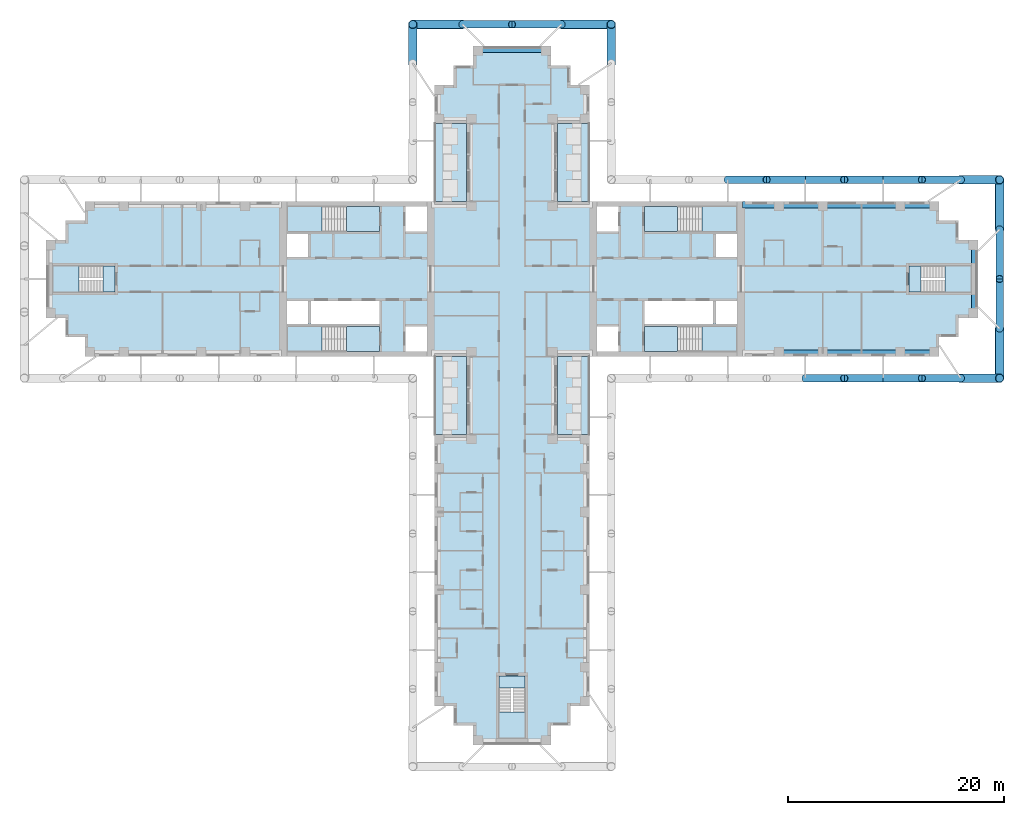
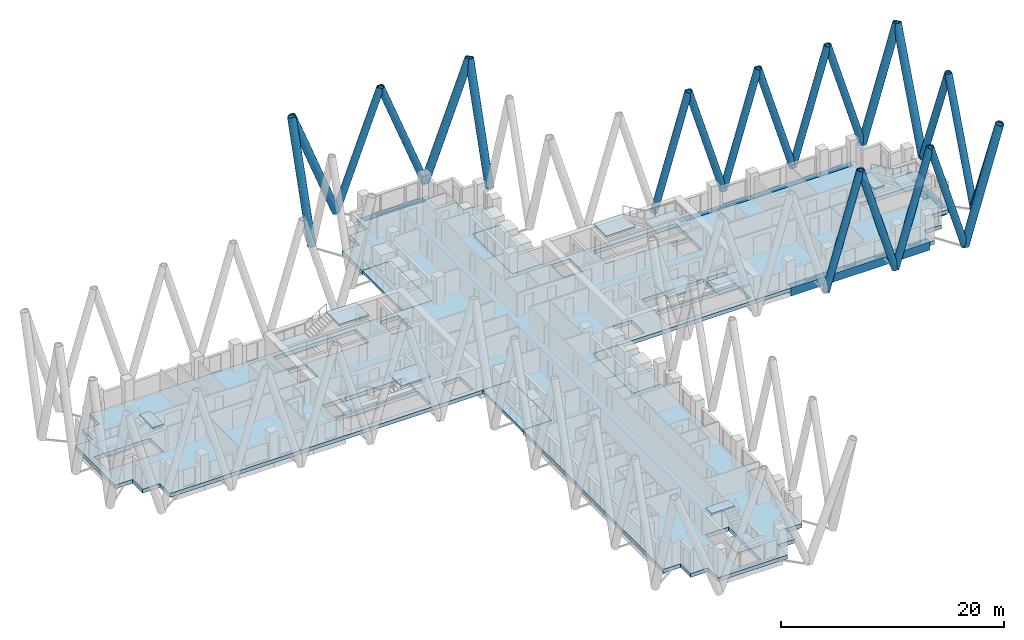
# One storey, part 2 of 14: 22 members, 19 slabs, 9 beams, 7 elements without a shape of their own.
"""IFC4 building model written with IfcOpenShell, lengths in metres."""

from ifc_helpers import new_model, si_unit, direction, frame, origin, origin_2d, place, context, subcontext, project, spatial, polyline, rectangle, hollow_circle, outline, extrude, material, layer, layer_set, material_profile, profile_set, type_object, element, aggregate, save


model = new_model("IFC4")

# Units and contexts
model_context = context("Model", 3, precision=1e-05, world=origin(), true_north=direction((0.0, 1.0)))
body_context = subcontext(model_context, "Body", "Model", "MODEL_VIEW")
ifc_project = project(units=[si_unit("LENGTHUNIT", "METRE"), si_unit("AREAUNIT", "SQUARE_METRE"), si_unit("VOLUMEUNIT", "CUBIC_METRE"), si_unit("PLANEANGLEUNIT", "RADIAN"), si_unit("MASSUNIT", "GRAM", prefix="KILO")], contexts=[model_context])

# Site, building, storey
site_placement = place(None, origin())
site = spatial("IfcSite", under=ifc_project, at=site_placement, CompositionType="ELEMENT")
building_placement = place(site_placement, origin())
building = spatial("IfcBuilding", under=site, at=building_placement, Name="Fustian Cross Tower", CompositionType="ELEMENT")
storey_placement = place(building_placement, frame((0.0, 0.0, 90.89990234375)))
storey = spatial("IfcBuildingStorey", under=building, at=storey_placement, Name="L28", CompositionType="ELEMENT", Elevation=90.89990234375)

# Members
ifc_material_1 = material(Name="Steel S355", Category="steel")
ifc_material_profile_1 = material_profile(ifc_material_1, hollow_circle(Radius=0.355712890625, WallThickness=0.031982421875, at=origin_2d()), Name="CHS 711x32")
ifc_profile_set_1 = profile_set([ifc_material_profile_1], Name="Steel S355")
member_type_1 = type_object("IfcMemberType", Name="DIAGRID DIAGONAL CHS 711x32", PredefinedType="BRACE", material=ifc_profile_set_1)
for number, where, z_axis, x_axis, name in (
    (1, (27.199951171875, -9.199951171875, 0.0), (0.287355036744, 0.0, 0.957824139839), (0.0, 1.0, 0.0), "Diagrid diagonal E-S 06"),
    (2, (34.39990234375, -9.199951171875, 0.0), (-0.287337158709, 0.0, 0.957829503213), (0.0, -1.0, 0.0), "Diagrid diagonal E-S 07"),
    (3, (34.39990234375, -9.199951171875, 0.0), (0.287355036744, 0.0, 0.957824139839), (0.0, 1.0, 0.0), "Diagrid diagonal E-S 08"),
    (4, (41.60009765625, -9.199951171875, 0.0), (-0.287355036744, 0.0, 0.957824139839), (0.0, -1.0, 0.0), "Diagrid diagonal E-S 09"),
):
    element("IfcMember", number, at=place(storey_placement, frame(where, z_axis=z_axis, x_axis=x_axis)), inside=storey, type_object=member_type_1, Name=name, PredefinedType="BRACE", context=body_context, shape_type="SweptSolid", body=[
        extrude(hollow_circle(Radius=0.355712890625, WallThickness=0.031982421875, at=origin_2d()), origin(), (0.0, 0.0, 1.0), 12.5283203125),
    ])
for number, where, z_axis, x_axis, name in (
    (5, (45.199951171875, -4.60009765625, 0.0), (0.0, 0.3579426369, 0.933743577589), (-1.0, 0.0, 0.0), "Diagrid diagonal E-end 02"),
    (6, (45.199951171875, 4.60009765625, 0.0), (0.0, -0.3579426369, 0.933743577589), (1.0, 0.0, 0.0), "Diagrid diagonal E-end 03"),
):
    element("IfcMember", number, at=place(storey_placement, frame(where, z_axis=z_axis, x_axis=x_axis)), inside=storey, type_object=member_type_1, Name=name, PredefinedType="BRACE", context=body_context, shape_type="SweptSolid", body=[
        extrude(hollow_circle(Radius=0.355712890625, WallThickness=0.031982421875, at=origin_2d()), origin(), (0.0, 0.0, 1.0), 12.8515625),
    ])
for number, where, z_axis, x_axis, name in (
    (7, (41.60009765625, 9.199951171875, 0.0), (-0.287355036744, 0.0, 0.957824139839), (0.0, -1.0, 0.0), "Diagrid diagonal E-N 02"),
    (8, (34.39990234375, 9.199951171875, 0.0), (0.287355036744, 0.0, 0.957824139839), (0.0, 1.0, 0.0), "Diagrid diagonal E-N 03"),
    (9, (34.39990234375, 9.199951171875, 0.0), (-0.287337158709, 0.0, 0.957829503213), (0.0, -1.0, 0.0), "Diagrid diagonal E-N 04"),
    (10, (27.199951171875, 9.199951171875, 0.0), (0.287355036744, 0.0, 0.957824139839), (0.0, 1.0, 0.0), "Diagrid diagonal E-N 05"),
    (11, (27.199951171875, 9.199951171875, 0.0), (-0.287337158709, 0.0, 0.957829503213), (0.0, -1.0, 0.0), "Diagrid diagonal E-N 06"),
    (12, (20.0, 9.199951171875, 0.0), (0.287355036744, 0.0, 0.957824139839), (0.0, 1.0, 0.0), "Diagrid diagonal E-N 07"),
):
    element("IfcMember", number, at=place(storey_placement, frame(where, z_axis=z_axis, x_axis=x_axis)), inside=storey, type_object=member_type_1, Name=name, PredefinedType="BRACE", context=body_context, shape_type="SweptSolid", body=[
        extrude(hollow_circle(Radius=0.355712890625, WallThickness=0.031982421875, at=origin_2d()), origin(), (0.0, 0.0, 1.0), 12.5283203125),
    ])
for number, where, z_axis, x_axis, name in (
    (13, (4.60009765625, 23.60009765625, 0.0), (-0.3579426369, 0.0, 0.933743577589), (0.0, -1.0, 0.0), "Diagrid diagonal N-end 02"),
    (14, (-4.60009765625, 23.60009765625, 0.0), (0.3579426369, 0.0, 0.933743577589), (0.0, 1.0, 0.0), "Diagrid diagonal N-end 03"),
):
    element("IfcMember", number, at=place(storey_placement, frame(where, z_axis=z_axis, x_axis=x_axis)), inside=storey, type_object=member_type_1, Name=name, PredefinedType="BRACE", context=body_context, shape_type="SweptSolid", body=[
        extrude(hollow_circle(Radius=0.355712890625, WallThickness=0.031982421875, at=origin_2d()), origin(), (0.0, 0.0, 1.0), 12.8515625),
    ])
ifc_material_2 = material(Name="Steel S355", Category="steel")
ifc_material_profile_2 = material_profile(ifc_material_2, hollow_circle(Radius=0.406494140625, WallThickness=0.0400390625, at=origin_2d()), Name="CHS 813x40")
ifc_profile_set_2 = profile_set([ifc_material_profile_2], Name="Steel S355")
member_type_2 = type_object("IfcMemberType", Name="DIAGRID DIAGONAL CHS 813x40", PredefinedType="BRACE", material=ifc_profile_set_2)
member_1_placement = place(storey_placement, frame((41.60009765625, -9.199951171875, 0.0), z_axis=(0.287337158709, 0.0, 0.957829503213), x_axis=(0.0, 1.0, 0.0)))
element("IfcMember", 15, at=member_1_placement, inside=storey, type_object=member_type_2, Name="Diagrid diagonal E-S 10", PredefinedType="BRACE", context=body_context, shape_type="SweptSolid", body=[
    extrude(hollow_circle(Radius=0.406494140625, WallThickness=0.0400390625, at=origin_2d()), origin(), (0.0, 0.0, 1.0), 12.5283203125),
])
for number, where, z_axis, x_axis, name in (
    (16, (45.199951171875, -4.60009765625, 0.0), (0.0, -0.357926073629, 0.933749926809), (1.0, 0.0, 0.0), "Diagrid diagonal E-end 01"),
    (17, (45.199951171875, 4.60009765625, 0.0), (0.0, 0.357926073629, 0.933749926809), (-1.0, 0.0, 0.0), "Diagrid diagonal E-end 04"),
):
    element("IfcMember", number, at=place(storey_placement, frame(where, z_axis=z_axis, x_axis=x_axis)), inside=storey, type_object=member_type_2, Name=name, PredefinedType="BRACE", context=body_context, shape_type="SweptSolid", body=[
        extrude(hollow_circle(Radius=0.406494140625, WallThickness=0.0400390625, at=origin_2d()), origin(), (0.0, 0.0, 1.0), 12.851318359375),
    ])
for number, where, z_axis, x_axis, name in (
    (18, (41.60009765625, 9.199951171875, 0.0), (0.287337158709, 0.0, 0.957829503213), (0.0, 1.0, 0.0), "Diagrid diagonal E-N 01"),
    (19, (9.199951171875, 20.0, 0.0), (0.0, 0.287355036744, 0.957824139839), (-1.0, 0.0, 0.0), "Diagrid diagonal N-E 04"),
):
    element("IfcMember", number, at=place(storey_placement, frame(where, z_axis=z_axis, x_axis=x_axis)), inside=storey, type_object=member_type_2, Name=name, PredefinedType="BRACE", context=body_context, shape_type="SweptSolid", body=[
        extrude(hollow_circle(Radius=0.406494140625, WallThickness=0.0400390625, at=origin_2d()), origin(), (0.0, 0.0, 1.0), 12.5283203125),
    ])
for number, where, z_axis, x_axis, name in (
    (20, (4.60009765625, 23.60009765625, 0.0), (0.357926073629, 0.0, 0.933749926809), (0.0, 1.0, 0.0), "Diagrid diagonal N-end 01"),
    (21, (-4.60009765625, 23.60009765625, 0.0), (-0.357926073629, 0.0, 0.933749926809), (0.0, -1.0, 0.0), "Diagrid diagonal N-end 04"),
):
    element("IfcMember", number, at=place(storey_placement, frame(where, z_axis=z_axis, x_axis=x_axis)), inside=storey, type_object=member_type_2, Name=name, PredefinedType="BRACE", context=body_context, shape_type="SweptSolid", body=[
        extrude(hollow_circle(Radius=0.406494140625, WallThickness=0.0400390625, at=origin_2d()), origin(), (0.0, 0.0, 1.0), 12.851318359375),
    ])
member_2_placement = place(storey_placement, frame((-9.199951171875, 20.0, 0.0), z_axis=(0.0, 0.287355036744, 0.957824139839), x_axis=(-1.0, 0.0, 0.0)))
element("IfcMember", 22, at=member_2_placement, inside=storey, type_object=member_type_2, Name="Diagrid diagonal N-W 01", PredefinedType="BRACE", context=body_context, shape_type="SweptSolid", body=[
    extrude(hollow_circle(Radius=0.406494140625, WallThickness=0.0400390625, at=origin_2d()), origin(), (0.0, 0.0, 1.0), 12.5283203125),
])

# Beams
ifc_material_3 = material(Name="Concrete C50/60", Category="concrete")
ifc_material_profile_3 = material_profile(ifc_material_3, rectangle(XDim=0.60009765625, YDim=0.89990234375, at=origin_2d()), Name="RC 600x900")
ifc_profile_set_3 = profile_set([ifc_material_profile_3], Name="Concrete C50/60")
beam_type = type_object("IfcBeamType", Name="EDGE BEAM RC 600x900 C50/60", PredefinedType="SPANDREL", material=ifc_profile_set_3)
beam_1_placement = place(storey_placement, frame((24.75, -6.89990234375, -0.449951171875), z_axis=(1.0, 0.0, 0.0), x_axis=(0.0, 1.0, 0.0)))
element("IfcBeam", 23, at=beam_1_placement, inside=storey, type_object=beam_type, Name="EDGE BEAM L28-02", PredefinedType="SPANDREL", context=body_context, shape_type="SweptSolid", body=[
    extrude(rectangle(XDim=0.60009765625, YDim=0.89990234375, at=origin_2d()), origin(), (0.0, 0.0, 1.0), 4.050048828125),
])
beam_2_placement = place(storey_placement, frame((28.800048828125, -6.89990234375, -0.449951171875), z_axis=(1.0, 0.0, 0.0), x_axis=(0.0, 1.0, 0.0)))
element("IfcBeam", 24, at=beam_2_placement, inside=storey, type_object=beam_type, Name="EDGE BEAM L28-03", PredefinedType="SPANDREL", context=body_context, shape_type="SweptSolid", body=[
    extrude(rectangle(XDim=0.60009765625, YDim=0.89990234375, at=origin_2d()), origin(), (0.0, 0.0, 1.0), 7.199951171875),
])
beam_3_placement = place(storey_placement, frame((36.0, -6.89990234375, -0.449951171875), z_axis=(1.0, 0.0, 0.0), x_axis=(0.0, 1.0, 0.0)))
element("IfcBeam", 25, at=beam_3_placement, inside=storey, type_object=beam_type, Name="EDGE BEAM L28-04", PredefinedType="SPANDREL", context=body_context, shape_type="SweptSolid", body=[
    extrude(rectangle(XDim=0.60009765625, YDim=0.89990234375, at=origin_2d()), origin(), (0.0, 0.0, 1.0), 3.14990234375),
])
beam_4_placement = place(storey_placement, frame((42.89990234375, -3.14990234375, -0.449951171875), z_axis=(0.0, 1.0, 0.0), x_axis=(-1.0, 0.0, 0.0)))
element("IfcBeam", 26, at=beam_4_placement, inside=storey, type_object=beam_type, Name="EDGE BEAM L28-05", PredefinedType="SPANDREL", context=body_context, shape_type="SweptSolid", body=[
    extrude(rectangle(XDim=0.60009765625, YDim=0.89990234375, at=origin_2d()), origin(), (0.0, 0.0, 1.0), 6.2998046875),
])
beam_5_placement = place(storey_placement, frame((39.14990234375, 6.89990234375, -0.449951171875), z_axis=(-1.0, 0.0, 0.0), x_axis=(0.0, -1.0, 0.0)))
element("IfcBeam", 27, at=beam_5_placement, inside=storey, type_object=beam_type, Name="EDGE BEAM L28-06", PredefinedType="SPANDREL", context=body_context, shape_type="SweptSolid", body=[
    extrude(rectangle(XDim=0.60009765625, YDim=0.89990234375, at=origin_2d()), origin(), (0.0, 0.0, 1.0), 3.14990234375),
])
beam_6_placement = place(storey_placement, frame((36.0, 6.89990234375, -0.449951171875), z_axis=(-1.0, 0.0, 0.0), x_axis=(0.0, -1.0, 0.0)))
element("IfcBeam", 28, at=beam_6_placement, inside=storey, type_object=beam_type, Name="EDGE BEAM L28-07", PredefinedType="SPANDREL", context=body_context, shape_type="SweptSolid", body=[
    extrude(rectangle(XDim=0.60009765625, YDim=0.89990234375, at=origin_2d()), origin(), (0.0, 0.0, 1.0), 7.199951171875),
])
beam_7_placement = place(storey_placement, frame((28.800048828125, 6.89990234375, -0.449951171875), z_axis=(-1.0, 0.0, 0.0), x_axis=(0.0, -1.0, 0.0)))
element("IfcBeam", 29, at=beam_7_placement, inside=storey, type_object=beam_type, Name="EDGE BEAM L28-08", PredefinedType="SPANDREL", context=body_context, shape_type="SweptSolid", body=[
    extrude(rectangle(XDim=0.60009765625, YDim=0.89990234375, at=origin_2d()), origin(), (0.0, 0.0, 1.0), 4.050048828125),
])
beam_8_placement = place(storey_placement, frame((24.75, 6.89990234375, -0.449951171875), z_axis=(-1.0, 0.0, 0.0), x_axis=(0.0, -1.0, 0.0)))
element("IfcBeam", 30, at=beam_8_placement, inside=storey, type_object=beam_type, Name="EDGE BEAM L28-09", PredefinedType="SPANDREL", context=body_context, shape_type="SweptSolid", body=[
    extrude(rectangle(XDim=0.60009765625, YDim=0.89990234375, at=origin_2d()), origin(), (0.0, 0.0, 1.0), 3.39990234375),
])
beam_9_placement = place(storey_placement, frame((3.14990234375, 21.300048828125, -0.449951171875), z_axis=(-1.0, 0.0, 0.0), x_axis=(0.0, -1.0, 0.0)))
element("IfcBeam", 31, at=beam_9_placement, inside=storey, type_object=beam_type, Name="EDGE BEAM L28-14", PredefinedType="SPANDREL", context=body_context, shape_type="SweptSolid", body=[
    extrude(rectangle(XDim=0.60009765625, YDim=0.89990234375, at=origin_2d()), origin(), (0.0, 0.0, 1.0), 6.2998046875),
])

# Slabs
ifc_material_4 = material(Name="Concrete C40/50", Category="concrete")
ifc_layer_1 = layer(ifc_material_4, 0.300048828125)
ifc_layer_set_1 = layer_set([ifc_layer_1], Name="Concrete C40/50")
slab_type_1 = type_object("IfcSlabType", Name="BS1 BALCONY SLAB 300", PredefinedType="FLOOR", material=ifc_layer_set_1)
slab_1_placement = place(storey_placement, frame((0.0, 0.0, -0.2998046875)))
element("IfcSlab", 32, at=slab_1_placement, inside=storey, type_object=slab_type_1, Name="Balcony slab", PredefinedType="FLOOR", context=body_context, shape_type="SweptSolid", body=[
    extrude(outline(polyline([(4.199951171875, 7.199951171875), (7.199951171875, 7.199951171875), (7.199951171875, 14.39990234375), (4.199951171875, 14.39990234375), (4.199951171875, 7.199951171875)])), origin(), (0.0, 0.0, 1.0), 0.2998046875),
])
slab_2_placement = place(storey_placement, frame((0.0, 0.0, -0.2998046875)))
element("IfcSlab", 33, at=slab_2_placement, inside=storey, type_object=slab_type_1, Name="Balcony slab", PredefinedType="FLOOR", context=body_context, shape_type="SweptSolid", body=[
    extrude(outline(polyline([(-7.199951171875, 7.199951171875), (-4.199951171875, 7.199951171875), (-4.199951171875, 14.39990234375), (-7.199951171875, 14.39990234375), (-7.199951171875, 7.199951171875)])), origin(), (0.0, 0.0, 1.0), 0.2998046875),
])
slab_3_placement = place(storey_placement, frame((0.0, 0.0, -0.2998046875)))
element("IfcSlab", 34, at=slab_3_placement, inside=storey, type_object=slab_type_1, Name="Balcony slab", PredefinedType="FLOOR", context=body_context, shape_type="SweptSolid", body=[
    extrude(outline(polyline([(4.199951171875, -14.39990234375), (7.199951171875, -14.39990234375), (7.199951171875, -7.199951171875), (4.199951171875, -7.199951171875), (4.199951171875, -14.39990234375)])), origin(), (0.0, 0.0, 1.0), 0.2998046875),
])
slab_4_placement = place(storey_placement, frame((0.0, 0.0, -0.2998046875)))
element("IfcSlab", 35, at=slab_4_placement, inside=storey, type_object=slab_type_1, Name="Balcony slab", PredefinedType="FLOOR", context=body_context, shape_type="SweptSolid", body=[
    extrude(outline(polyline([(-7.199951171875, -14.39990234375), (-4.199951171875, -14.39990234375), (-4.199951171875, -7.199951171875), (-7.199951171875, -7.199951171875), (-7.199951171875, -14.39990234375)])), origin(), (0.0, 0.0, 1.0), 0.2998046875),
])
ifc_material_5 = material(Name="Concrete C40/50", Category="concrete")
ifc_layer_2 = layer(ifc_material_5, 0.425048828125)
ifc_layer_set_2 = layer_set([ifc_layer_2], Name="Concrete C40/50")
slab_type_2 = type_object("IfcSlabType", Name="FLAT SLAB 425", PredefinedType="FLOOR", material=ifc_layer_set_2)
slab_5_placement = place(storey_placement, frame((0.0, 0.0, -0.4248046875)))
element("IfcSlab", 36, at=slab_5_placement, inside=storey, type_object=slab_type_2, Name="FLOOR SLAB L28-1", PredefinedType="FLOOR", context=body_context, shape_type="SweptSolid", body=[
    extrude(outline(polyline([(-4.199951171875, -7.199951171875), (-39.60009765625, -7.199951171875), (-39.60009765625, -5.39990234375), (-41.39990234375, -5.39990234375), (-41.39990234375, -3.60009765625), (-43.199951171875, -3.60009765625), (-43.199951171875, 3.60009765625), (-41.39990234375, 3.60009765625), (-41.39990234375, 5.39990234375), (-39.60009765625, 5.39990234375), (-39.60009765625, 7.199951171875), (-4.199951171875, 7.199951171875), (-4.199951171875, 14.39990234375), (-7.199951171875, 14.39990234375), (-7.199951171875, 18.0), (-5.39990234375, 18.0), (-5.39990234375, 19.800048828125), (-3.60009765625, 19.800048828125), (-3.60009765625, 21.60009765625), (3.60009765625, 21.60009765625), (3.60009765625, 19.800048828125), (5.39990234375, 19.800048828125), (5.39990234375, 18.0), (7.199951171875, 18.0), (7.199951171875, 14.39990234375), (4.199951171875, 14.39990234375), (4.199951171875, 7.199951171875), (39.60009765625, 7.199951171875), (39.60009765625, 5.39990234375), (41.39990234375, 5.39990234375), (41.39990234375, 3.60009765625), (43.199951171875, 3.60009765625), (43.199951171875, -3.60009765625), (41.39990234375, -3.60009765625), (41.39990234375, -5.39990234375), (39.60009765625, -5.39990234375), (39.60009765625, -7.199951171875), (4.199951171875, -7.199951171875), (4.199951171875, -14.39990234375), (7.199951171875, -14.39990234375), (7.199951171875, -39.60009765625), (5.39990234375, -39.60009765625), (5.39990234375, -41.39990234375), (3.60009765625, -41.39990234375), (3.60009765625, -43.199951171875), (-3.60009765625, -43.199951171875), (-3.60009765625, -41.39990234375), (-5.39990234375, -41.39990234375), (-5.39990234375, -39.60009765625), (-7.199951171875, -39.60009765625), (-7.199951171875, -14.39990234375), (-4.199951171875, -14.39990234375), (-4.199951171875, -7.199951171875)]), holes=[polyline([(20.85009765625, -2.050048828125), (18.89990234375, -2.050048828125), (18.89990234375, -4.14990234375), (20.85009765625, -4.14990234375), (20.85009765625, -2.050048828125)]), polyline([(20.85009765625, 2.050048828125), (20.85009765625, 4.14990234375), (18.89990234375, 4.14990234375), (18.89990234375, 2.050048828125), (20.85009765625, 2.050048828125)]), polyline([(7.89990234375, 4.39990234375), (9.85009765625, 4.39990234375), (9.85009765625, 6.699951171875), (7.89990234375, 6.699951171875), (7.89990234375, 4.39990234375)]), polyline([(7.89990234375, -4.39990234375), (7.89990234375, -6.699951171875), (9.85009765625, -6.699951171875), (9.85009765625, -4.39990234375), (7.89990234375, -4.39990234375)]), polyline([(-18.89990234375, -2.050048828125), (-20.85009765625, -2.050048828125), (-20.85009765625, -4.14990234375), (-18.89990234375, -4.14990234375), (-18.89990234375, -2.050048828125)]), polyline([(-18.89990234375, 2.050048828125), (-18.89990234375, 4.14990234375), (-20.85009765625, 4.14990234375), (-20.85009765625, 2.050048828125), (-18.89990234375, 2.050048828125)]), polyline([(-9.85009765625, 4.39990234375), (-7.89990234375, 4.39990234375), (-7.89990234375, 6.699951171875), (-9.85009765625, 6.699951171875), (-9.85009765625, 4.39990234375)]), polyline([(-9.85009765625, -4.39990234375), (-9.85009765625, -6.699951171875), (-7.89990234375, -6.699951171875), (-7.89990234375, -4.39990234375), (-9.85009765625, -4.39990234375)]), polyline([(18.64990234375, -2.050048828125), (12.300048828125, -2.050048828125), (12.300048828125, -4.14990234375), (18.64990234375, -4.14990234375), (18.64990234375, -2.050048828125)]), polyline([(-12.300048828125, -4.14990234375), (-12.300048828125, -2.050048828125), (-18.64990234375, -2.050048828125), (-18.64990234375, -4.14990234375), (-12.300048828125, -4.14990234375)]), polyline([(12.300048828125, 4.39990234375), (20.85009765625, 4.39990234375), (20.85009765625, 6.699951171875), (12.300048828125, 6.699951171875), (12.300048828125, 4.39990234375)]), polyline([(12.300048828125, -4.39990234375), (12.300048828125, -6.699951171875), (20.85009765625, -6.699951171875), (20.85009765625, -4.39990234375), (12.300048828125, -4.39990234375)]), polyline([(-12.300048828125, 6.699951171875), (-20.85009765625, 6.699951171875), (-20.85009765625, 4.39990234375), (-12.300048828125, 4.39990234375), (-12.300048828125, 6.699951171875)]), polyline([(-12.300048828125, -6.699951171875), (-12.300048828125, -4.39990234375), (-20.85009765625, -4.39990234375), (-20.85009765625, -6.699951171875), (-12.300048828125, -6.699951171875)]), polyline([(-1.199951171875, -42.60009765625), (1.199951171875, -42.60009765625), (1.199951171875, -36.800048828125), (-1.199951171875, -36.800048828125), (-1.199951171875, -42.60009765625)]), polyline([(36.800048828125, 1.199951171875), (36.800048828125, -1.199951171875), (42.60009765625, -1.199951171875), (42.60009765625, 1.199951171875), (36.800048828125, 1.199951171875)]), polyline([(-36.800048828125, 1.199951171875), (-42.60009765625, 1.199951171875), (-42.60009765625, -1.199951171875), (-36.800048828125, -1.199951171875), (-36.800048828125, 1.199951171875)])]), origin(), (0.0, 0.0, 1.0), 0.4248046875),
])

# Stair, slabs
ifc_material_6 = material(Name="Concrete C50/60", Category="concrete")
stair_type_1 = type_object("IfcStairType", Name="STAIR 1150 HALF TURN", PredefinedType="HALF_TURN_STAIR", material=ifc_material_6)
stair_1_placement = place(storey_placement, origin())
stair_1 = element("IfcStair", 37, at=stair_1_placement, inside=storey, type_object=stair_type_1, Name="Stair ST1", PredefinedType="HALF_TURN_STAIR")
ifc_material_7 = material(Name="Concrete C50/60", Category="concrete")
ifc_layer_3 = layer(ifc_material_7, 0.199951171875)
ifc_layer_set_3 = layer_set([ifc_layer_3], Name="Concrete C50/60")
slab_type_3 = type_object("IfcSlabType", Name="STAIR LANDING", PredefinedType="LANDING", material=ifc_layer_set_3)
slab_6_placement = place(storey_placement, frame((0.0, 0.0, 1.300048828125)))
slab_6 = element("IfcSlab", 38, at=slab_6_placement, type_object=slab_type_3, Name="ST1 landing 1", PredefinedType="LANDING", context=body_context, shape_type="SweptSolid", body=[
    extrude(outline(polyline([(17.590087890625, 4.39990234375), (20.85009765625, 4.39990234375), (20.85009765625, 6.699951171875), (17.590087890625, 6.699951171875), (17.590087890625, 4.39990234375)])), origin(), (0.0, 0.0, 1.0), 0.199951171875),
])
slab_7_placement = place(storey_placement, frame((0.0, 0.0, 2.800048828125)))
slab_7 = element("IfcSlab", 39, at=slab_7_placement, type_object=slab_type_3, Name="ST1 landing 2", PredefinedType="LANDING", context=body_context, shape_type="SweptSolid", body=[
    extrude(outline(polyline([(12.300048828125, 4.39990234375), (15.35009765625, 4.39990234375), (15.35009765625, 6.699951171875), (12.300048828125, 6.699951171875), (12.300048828125, 4.39990234375)])), origin(), (0.0, 0.0, 1.0), 0.199951171875),
])
aggregate(stair_1, [slab_6, slab_7])

stair_2_placement = place(storey_placement, origin())
stair_2 = element("IfcStair", 40, at=stair_2_placement, inside=storey, type_object=stair_type_1, Name="Stair ST2", PredefinedType="HALF_TURN_STAIR")
slab_8_placement = place(storey_placement, frame((0.0, 0.0, 1.300048828125)))
slab_8 = element("IfcSlab", 41, at=slab_8_placement, type_object=slab_type_3, Name="ST2 landing 1", PredefinedType="LANDING", context=body_context, shape_type="SweptSolid", body=[
    extrude(outline(polyline([(17.590087890625, -4.39990234375), (20.85009765625, -4.39990234375), (20.85009765625, -6.699951171875), (17.590087890625, -6.699951171875), (17.590087890625, -4.39990234375)])), origin(), (0.0, 0.0, 1.0), 0.199951171875),
])
slab_9_placement = place(storey_placement, frame((0.0, 0.0, 2.800048828125)))
slab_9 = element("IfcSlab", 42, at=slab_9_placement, type_object=slab_type_3, Name="ST2 landing 2", PredefinedType="LANDING", context=body_context, shape_type="SweptSolid", body=[
    extrude(outline(polyline([(12.300048828125, -4.39990234375), (15.35009765625, -4.39990234375), (15.35009765625, -6.699951171875), (12.300048828125, -6.699951171875), (12.300048828125, -4.39990234375)])), origin(), (0.0, 0.0, 1.0), 0.199951171875),
])
aggregate(stair_2, [slab_8, slab_9])

stair_3_placement = place(storey_placement, origin())
stair_3 = element("IfcStair", 43, at=stair_3_placement, inside=storey, type_object=stair_type_1, Name="Stair ST3", PredefinedType="HALF_TURN_STAIR")
slab_10_placement = place(storey_placement, frame((0.0, 0.0, 1.300048828125)))
slab_10 = element("IfcSlab", 44, at=slab_10_placement, type_object=slab_type_3, Name="ST3 landing 1", PredefinedType="LANDING", context=body_context, shape_type="SweptSolid", body=[
    extrude(outline(polyline([(-17.590087890625, 4.39990234375), (-20.85009765625, 4.39990234375), (-20.85009765625, 6.699951171875), (-17.590087890625, 6.699951171875), (-17.590087890625, 4.39990234375)])), origin(), (0.0, 0.0, 1.0), 0.199951171875),
])
slab_11_placement = place(storey_placement, frame((0.0, 0.0, 2.800048828125)))
slab_11 = element("IfcSlab", 45, at=slab_11_placement, type_object=slab_type_3, Name="ST3 landing 2", PredefinedType="LANDING", context=body_context, shape_type="SweptSolid", body=[
    extrude(outline(polyline([(-12.300048828125, 4.39990234375), (-15.35009765625, 4.39990234375), (-15.35009765625, 6.699951171875), (-12.300048828125, 6.699951171875), (-12.300048828125, 4.39990234375)])), origin(), (0.0, 0.0, 1.0), 0.199951171875),
])
aggregate(stair_3, [slab_10, slab_11])

stair_4_placement = place(storey_placement, origin())
stair_4 = element("IfcStair", 46, at=stair_4_placement, inside=storey, type_object=stair_type_1, Name="Stair ST4", PredefinedType="HALF_TURN_STAIR")
slab_12_placement = place(storey_placement, frame((0.0, 0.0, 1.300048828125)))
slab_12 = element("IfcSlab", 47, at=slab_12_placement, type_object=slab_type_3, Name="ST4 landing 1", PredefinedType="LANDING", context=body_context, shape_type="SweptSolid", body=[
    extrude(outline(polyline([(-17.590087890625, -4.39990234375), (-20.85009765625, -4.39990234375), (-20.85009765625, -6.699951171875), (-17.590087890625, -6.699951171875), (-17.590087890625, -4.39990234375)])), origin(), (0.0, 0.0, 1.0), 0.199951171875),
])
slab_13_placement = place(storey_placement, frame((0.0, 0.0, 2.800048828125)))
slab_13 = element("IfcSlab", 48, at=slab_13_placement, type_object=slab_type_3, Name="ST4 landing 2", PredefinedType="LANDING", context=body_context, shape_type="SweptSolid", body=[
    extrude(outline(polyline([(-12.300048828125, -4.39990234375), (-15.35009765625, -4.39990234375), (-15.35009765625, -6.699951171875), (-12.300048828125, -6.699951171875), (-12.300048828125, -4.39990234375)])), origin(), (0.0, 0.0, 1.0), 0.199951171875),
])
aggregate(stair_4, [slab_12, slab_13])

ifc_material_8 = material(Name="Concrete C50/60", Category="concrete")
stair_type_2 = type_object("IfcStairType", Name="STAIR 1100 HALF TURN", PredefinedType="HALF_TURN_STAIR", material=ifc_material_8)
stair_5_placement = place(storey_placement, origin())
stair_5 = element("IfcStair", 49, at=stair_5_placement, inside=storey, type_object=stair_type_2, Name="Stair ST6", PredefinedType="HALF_TURN_STAIR")
slab_14_placement = place(storey_placement, frame((0.0, 0.0, 1.300048828125)))
slab_14 = element("IfcSlab", 50, at=slab_14_placement, type_object=slab_type_3, Name="ST6 landing 1", PredefinedType="LANDING", context=body_context, shape_type="SweptSolid", body=[
    extrude(outline(polyline([(-1.199951171875, -40.139892578125), (-1.199951171875, -42.60009765625), (1.199951171875, -42.60009765625), (1.199951171875, -40.139892578125), (-1.199951171875, -40.139892578125)])), origin(), (0.0, 0.0, 1.0), 0.199951171875),
])
slab_15_placement = place(storey_placement, frame((0.0, 0.0, 2.800048828125)))
slab_15 = element("IfcSlab", 51, at=slab_15_placement, type_object=slab_type_3, Name="ST6 landing 2", PredefinedType="LANDING", context=body_context, shape_type="SweptSolid", body=[
    extrude(outline(polyline([(-1.199951171875, -36.800048828125), (-1.199951171875, -37.89990234375), (1.199951171875, -37.89990234375), (1.199951171875, -36.800048828125), (-1.199951171875, -36.800048828125)])), origin(), (0.0, 0.0, 1.0), 0.199951171875),
])
aggregate(stair_5, [slab_14, slab_15])

stair_6_placement = place(storey_placement, origin())
stair_6 = element("IfcStair", 52, at=stair_6_placement, inside=storey, type_object=stair_type_2, Name="Stair ST8", PredefinedType="HALF_TURN_STAIR")
slab_16_placement = place(storey_placement, frame((0.0, 0.0, 1.300048828125)))
slab_16 = element("IfcSlab", 53, at=slab_16_placement, type_object=slab_type_3, Name="ST8 landing 1", PredefinedType="LANDING", context=body_context, shape_type="SweptSolid", body=[
    extrude(outline(polyline([(40.139892578125, -1.199951171875), (42.60009765625, -1.199951171875), (42.60009765625, 1.199951171875), (40.139892578125, 1.199951171875), (40.139892578125, -1.199951171875)])), origin(), (0.0, 0.0, 1.0), 0.199951171875),
])
slab_17_placement = place(storey_placement, frame((0.0, 0.0, 2.800048828125)))
slab_17 = element("IfcSlab", 54, at=slab_17_placement, type_object=slab_type_3, Name="ST8 landing 2", PredefinedType="LANDING", context=body_context, shape_type="SweptSolid", body=[
    extrude(outline(polyline([(36.800048828125, -1.199951171875), (37.89990234375, -1.199951171875), (37.89990234375, 1.199951171875), (36.800048828125, 1.199951171875), (36.800048828125, -1.199951171875)])), origin(), (0.0, 0.0, 1.0), 0.199951171875),
])
aggregate(stair_6, [slab_16, slab_17])

stair_7_placement = place(storey_placement, origin())
stair_7 = element("IfcStair", 55, at=stair_7_placement, inside=storey, type_object=stair_type_2, Name="Stair ST9", PredefinedType="HALF_TURN_STAIR")
slab_18_placement = place(storey_placement, frame((0.0, 0.0, 1.300048828125)))
slab_18 = element("IfcSlab", 56, at=slab_18_placement, type_object=slab_type_3, Name="ST9 landing 1", PredefinedType="LANDING", context=body_context, shape_type="SweptSolid", body=[
    extrude(outline(polyline([(-40.139892578125, -1.199951171875), (-42.60009765625, -1.199951171875), (-42.60009765625, 1.199951171875), (-40.139892578125, 1.199951171875), (-40.139892578125, -1.199951171875)])), origin(), (0.0, 0.0, 1.0), 0.199951171875),
])
slab_19_placement = place(storey_placement, frame((0.0, 0.0, 2.800048828125)))
slab_19 = element("IfcSlab", 57, at=slab_19_placement, type_object=slab_type_3, Name="ST9 landing 2", PredefinedType="LANDING", context=body_context, shape_type="SweptSolid", body=[
    extrude(outline(polyline([(-36.800048828125, -1.199951171875), (-37.89990234375, -1.199951171875), (-37.89990234375, 1.199951171875), (-36.800048828125, 1.199951171875), (-36.800048828125, -1.199951171875)])), origin(), (0.0, 0.0, 1.0), 0.199951171875),
])
aggregate(stair_7, [slab_18, slab_19])

save(model, "model.ifc")
